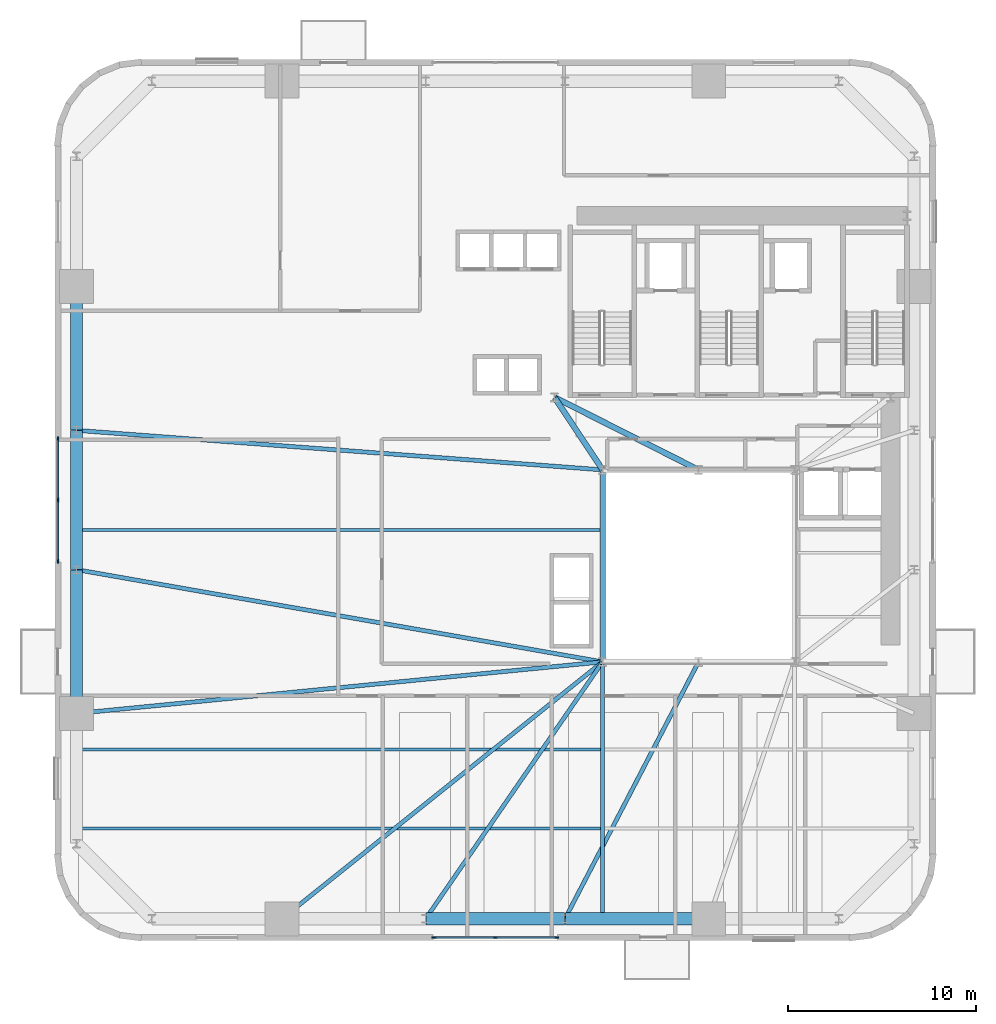
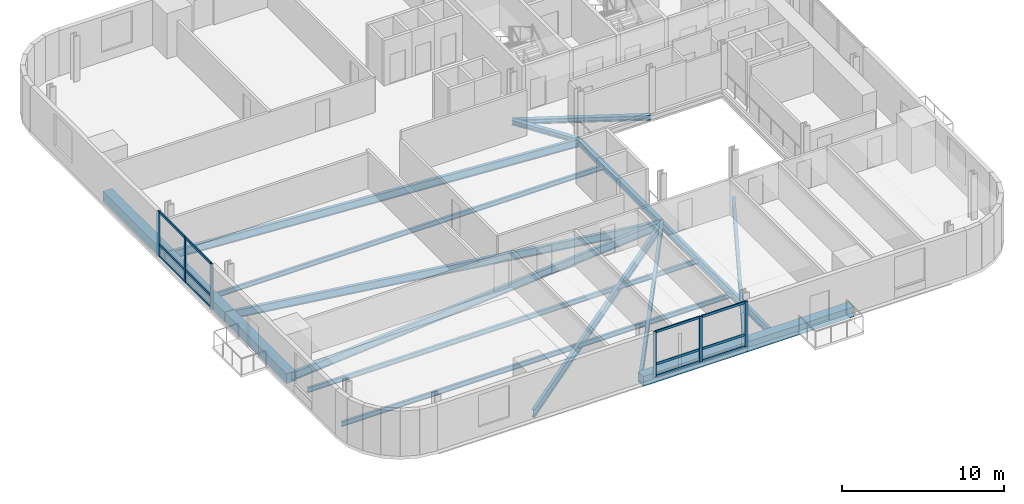
# One storey, part 2 of 13: 18 beams, 18 members, 2 elements without a shape of their own.
"""IFC4 building model written with IfcOpenShell, lengths in metres."""

from ifc_helpers import new_model, si_unit, direction, frame, origin, origin_2d, place, context, subcontext, project, spatial, rectangle, i_section, extrude, source, transform, mapped, material, material_profile, profile_set, type_object, element, aggregate, save


model = new_model("IFC4")

# Units and contexts
model_context = context("Model", 3, precision=1e-05, world=origin(), true_north=direction((0.0, 1.0)))
body_context = subcontext(model_context, "Body", "Model", "MODEL_VIEW")
ifc_project = project(units=[si_unit("LENGTHUNIT", "METRE"), si_unit("AREAUNIT", "SQUARE_METRE"), si_unit("VOLUMEUNIT", "CUBIC_METRE"), si_unit("PLANEANGLEUNIT", "RADIAN"), si_unit("MASSUNIT", "GRAM", prefix="KILO")], contexts=[model_context])

# Site, building, storey
site_placement = place(None, origin())
site = spatial("IfcSite", under=ifc_project, at=site_placement, CompositionType="ELEMENT")
building_placement = place(site_placement, origin())
building = spatial("IfcBuilding", under=site, at=building_placement, Name="Vardaveli Station Tower", CompositionType="ELEMENT")
storey_placement = place(building_placement, frame((0.0, 0.0, 82.35009765625)))
storey = spatial("IfcBuildingStorey", under=building, at=storey_placement, Name="L21", CompositionType="ELEMENT", Elevation=82.35009765625)

# Beams
ifc_material_1 = material(Name="Structural steel S355J2", Category="steel")
ifc_material_profile_1 = material_profile(ifc_material_1, i_section(OverallWidth=0.300048828125, OverallDepth=0.449951171875, WebThickness=0.013916015625, FlangeThickness=0.02587890625, FilletRadius=0.027099609375, at=origin_2d()), Name="HEB 450")
ifc_profile_set_1 = profile_set([ifc_material_profile_1], Name="Structural steel S355J2")
beam_type_1 = type_object("IfcBeamType", Name="BM-HEB450", PredefinedType="BEAM", material=ifc_profile_set_1)
shared_shape_1 = source(origin(), body_context, "Body", "SweptSolid", [
    extrude(i_section(OverallWidth=0.300048828125, OverallDepth=0.449951171875, WebThickness=0.013916015625, FlangeThickness=0.02587890625, FilletRadius=0.027099609375, at=origin_2d()), origin(), (0.0, 0.0, 1.0), 10.159912109375),
])
beam_1_placement = place(storey_placement, frame((31.199951171875, 26.780029296875, -0.465087890625), z_axis=(0.0, -1.0, 0.0), x_axis=(1.0, 0.0, 0.0)))
element("IfcBeam", 1, at=beam_1_placement, inside=storey, type_object=beam_type_1, Name="ABM-L21-06", PredefinedType="BEAM", context=body_context, shape_type="MappedRepresentation", body=[
    mapped(shared_shape_1, transform((0.0, 0.0, 0.0), scale=1.0)),
])
ifc_material_profile_2 = material_profile(ifc_material_1, i_section(OverallWidth=0.300048828125, OverallDepth=0.360107421875, WebThickness=0.012451171875, FlangeThickness=0.0224609375, FilletRadius=0.027099609375, at=origin_2d()), Name="HEB 360")
ifc_profile_set_2 = profile_set([ifc_material_profile_2], Name="Structural steel S355J2")
beam_type_2 = type_object("IfcBeamType", Name="BM-HEB360", PredefinedType="BEAM", material=ifc_profile_set_2)
shared_shape_2 = source(origin(), body_context, "Body", "SweptSolid", [
    extrude(i_section(OverallWidth=0.300048828125, OverallDepth=0.360107421875, WebThickness=0.012451171875, FlangeThickness=0.0224609375, FilletRadius=0.027099609375, at=origin_2d()), origin(), (0.0, 0.0, 1.0), 4.577880859375),
])
beam_2_placement = place(storey_placement, frame((31.18896484375, 26.816650390625, -0.420166015625), z_axis=(-0.55218702139, 0.833720272879, 0.0), x_axis=(-0.833720272879, -0.55218702139, 0.0)))
element("IfcBeam", 2, at=beam_2_placement, inside=storey, type_object=beam_type_2, Name="CBM-L21-01", PredefinedType="BEAM", context=body_context, shape_type="MappedRepresentation", body=[
    mapped(shared_shape_2, transform((0.0, 0.0, 0.0), scale=1.0)),
])
shared_shape_3 = source(origin(), body_context, "Body", "SweptSolid", [
    extrude(i_section(OverallWidth=0.300048828125, OverallDepth=0.360107421875, WebThickness=0.012451171875, FlangeThickness=0.0224609375, FilletRadius=0.027099609375, at=origin_2d()), origin(), (0.0, 0.0, 1.0), 8.524169921875),
])
beam_3_placement = place(storey_placement, frame((28.66796875, 30.64111328125, -0.420166015625), z_axis=(0.893255584708, -0.449549174605, 0.0), x_axis=(0.449549174605, 0.893255584708, 0.0)))
element("IfcBeam", 3, at=beam_3_placement, inside=storey, type_object=beam_type_2, Name="CBM-L21-03", PredefinedType="BEAM", context=body_context, shape_type="MappedRepresentation", body=[
    mapped(shared_shape_3, transform((0.0, 0.0, 0.0), scale=1.0)),
])
ifc_material_2 = material(Name="Precast concrete C45/55", Category="concrete")
ifc_material_profile_3 = material_profile(ifc_material_2, rectangle(XDim=0.64990234375, YDim=0.75, at=origin_2d()), Name="LPB 650x750")
ifc_profile_set_3 = profile_set([ifc_material_profile_3], Name="Precast concrete C45/55")
beam_type_3 = type_object("IfcBeamType", Name="BM-LPB-750", PredefinedType="BEAM", material=ifc_profile_set_3)
shared_shape_4 = source(origin(), body_context, "Body", "SweptSolid", [
    extrude(rectangle(XDim=0.64990234375, YDim=0.75, at=origin_2d()), origin(), (0.0, 0.0, 1.0), 7.60009765625),
])
for number, where, z_axis, x_axis, name in (
    (4, (29.219970703125, 2.949951171875, -0.614990234375), (1.0, 0.0, 0.0), (0.0, 1.0, 0.0), "RBM-L21-03"),
    (5, (3.25, 36.52001953125, -0.614990234375), (0.0, -1.0, 0.0), (1.0, 0.0, 0.0), "RBM-L21-19"),
    (6, (3.25, 21.47998046875, -0.614990234375), (0.0, -1.0, 0.0), (1.0, 0.0, 0.0), "RBM-L21-21"),
):
    element("IfcBeam", number, at=place(storey_placement, frame(where, z_axis=z_axis, x_axis=x_axis)), inside=storey, type_object=beam_type_3, Name=name, PredefinedType="BEAM", context=body_context, shape_type="MappedRepresentation", body=[
        mapped(shared_shape_4, transform((0.0, 0.0, 0.0), scale=1.0)),
    ])
shared_shape_5 = source(origin(), body_context, "Body", "SweptSolid", [
    extrude(rectangle(XDim=0.64990234375, YDim=0.75, at=origin_2d()), origin(), (0.0, 0.0, 1.0), 7.35986328125),
])
for number, where, z_axis, x_axis, name in (
    (7, (21.820068359375, 2.949951171875, -0.614990234375), (1.0, 0.0, 0.0), (0.0, 1.0, 0.0), "RBM-L21-02"),
    (8, (3.25, 28.8798828125, -0.614990234375), (0.0, -1.0, 0.0), (1.0, 0.0, 0.0), "RBM-L21-20"),
):
    element("IfcBeam", number, at=place(storey_placement, frame(where, z_axis=z_axis, x_axis=x_axis)), inside=storey, type_object=beam_type_3, Name=name, PredefinedType="BEAM", context=body_context, shape_type="MappedRepresentation", body=[
        mapped(shared_shape_5, transform((0.0, 0.0, 0.0), scale=1.0)),
    ])
ifc_material_profile_4 = material_profile(ifc_material_1, i_section(OverallWidth=0.219970703125, OverallDepth=0.60009765625, WebThickness=0.011962890625, FlangeThickness=0.01904296875, FilletRadius=0.02392578125, at=origin_2d()), Name="IPE 600")
ifc_profile_set_4 = profile_set([ifc_material_profile_4], Name="Structural steel S355J2")
beam_type_4 = type_object("IfcBeamType", Name="BM-IPE600", PredefinedType="BEAM", material=ifc_profile_set_4)
shared_shape_6 = source(origin(), body_context, "Body", "SweptSolid", [
    extrude(i_section(OverallWidth=0.219970703125, OverallDepth=0.60009765625, WebThickness=0.011962890625, FlangeThickness=0.01904296875, FilletRadius=0.02392578125, at=origin_2d()), origin(), (0.0, 0.0, 1.0), 21.793212890625),
])
beam_4_placement = place(storey_placement, frame((14.175537109375, 2.96240234375, -0.5400390625), z_axis=(0.780466445023, 0.625197671296, 0.0), x_axis=(-0.625197671296, 0.780466445023, 0.0)))
element("IfcBeam", 9, at=beam_4_placement, inside=storey, type_object=beam_type_4, Name="GBM-L21-01", PredefinedType="BEAM", context=body_context, shape_type="MappedRepresentation", body=[
    mapped(shared_shape_6, transform((0.0, 0.0, 0.0), scale=1.0)),
])
shared_shape_7 = source(origin(), body_context, "Body", "SweptSolid", [
    extrude(i_section(OverallWidth=0.219970703125, OverallDepth=0.60009765625, WebThickness=0.011962890625, FlangeThickness=0.01904296875, FilletRadius=0.02392578125, at=origin_2d()), origin(), (0.0, 0.0, 1.0), 16.533447265625),
])
beam_5_placement = place(storey_placement, frame((21.811279296875, 2.966552734375, -0.5400390625), z_axis=(0.567177272103, 0.823595739431, 0.0), x_axis=(-0.823595739431, 0.567177272103, 0.0)))
element("IfcBeam", 10, at=beam_5_placement, inside=storey, type_object=beam_type_4, Name="GBM-L21-02", PredefinedType="BEAM", context=body_context, shape_type="MappedRepresentation", body=[
    mapped(shared_shape_7, transform((0.0, 0.0, 0.0), scale=1.0)),
])
shared_shape_8 = source(origin(), body_context, "Body", "SweptSolid", [
    extrude(i_section(OverallWidth=0.219970703125, OverallDepth=0.60009765625, WebThickness=0.011962890625, FlangeThickness=0.01904296875, FilletRadius=0.02392578125, at=origin_2d()), origin(), (0.0, 0.0, 1.0), 15.34619140625),
])
beam_6_placement = place(storey_placement, frame((29.209228515625, 2.9677734375, -0.5400390625), z_axis=(0.461455420507, 0.887163398075, 0.0), x_axis=(-0.887163398075, 0.461455420507, 0.0)))
element("IfcBeam", 11, at=beam_6_placement, inside=storey, type_object=beam_type_4, Name="GBM-L21-03", PredefinedType="BEAM", context=body_context, shape_type="MappedRepresentation", body=[
    mapped(shared_shape_8, transform((0.0, 0.0, 0.0), scale=1.0)),
])
shared_shape_9 = source(origin(), body_context, "Body", "SweptSolid", [
    extrude(i_section(OverallWidth=0.219970703125, OverallDepth=0.60009765625, WebThickness=0.011962890625, FlangeThickness=0.01904296875, FilletRadius=0.02392578125, at=origin_2d()), origin(), (0.0, 0.0, 1.0), 27.98876953125),
])
beam_7_placement = place(storey_placement, frame((3.27001953125, 28.8984375, -0.5400390625), z_axis=(0.99718954315, -0.074920057611, 0.0), x_axis=(0.074920057611, 0.99718954315, 0.0)))
element("IfcBeam", 12, at=beam_7_placement, inside=storey, type_object=beam_type_4, Name="GBM-L21-08", PredefinedType="BEAM", context=body_context, shape_type="MappedRepresentation", body=[
    mapped(shared_shape_9, transform((0.0, 0.0, 0.0), scale=1.0)),
])
shared_shape_10 = source(origin(), body_context, "Body", "SweptSolid", [
    extrude(i_section(OverallWidth=0.219970703125, OverallDepth=0.60009765625, WebThickness=0.011962890625, FlangeThickness=0.01904296875, FilletRadius=0.02392578125, at=origin_2d()), origin(), (0.0, 0.0, 1.0), 28.33642578125),
])
beam_8_placement = place(storey_placement, frame((3.269775390625, 21.49658203125, -0.5400390625), z_axis=(0.984978267336, -0.172678350921, 0.0), x_axis=(0.172678350921, 0.984978267336, 0.0)))
element("IfcBeam", 13, at=beam_8_placement, inside=storey, type_object=beam_type_4, Name="GBM-L21-09", PredefinedType="BEAM", context=body_context, shape_type="MappedRepresentation", body=[
    mapped(shared_shape_10, transform((0.0, 0.0, 0.0), scale=1.0)),
])
shared_shape_11 = source(origin(), body_context, "Body", "SweptSolid", [
    extrude(i_section(OverallWidth=0.219970703125, OverallDepth=0.60009765625, WebThickness=0.011962890625, FlangeThickness=0.01904296875, FilletRadius=0.02392578125, at=origin_2d()), origin(), (0.0, 0.0, 1.0), 28.0439453125),
])
beam_9_placement = place(storey_placement, frame((3.27001953125, 13.862060546875, -0.5400390625), z_axis=(0.995229237856, 0.097564153855, 0.0), x_axis=(-0.097564153855, 0.995229237856, 0.0)))
element("IfcBeam", 14, at=beam_9_placement, inside=storey, type_object=beam_type_4, Name="GBM-L21-10", PredefinedType="BEAM", context=body_context, shape_type="MappedRepresentation", body=[
    mapped(shared_shape_11, transform((0.0, 0.0, 0.0), scale=1.0)),
])
ifc_material_profile_5 = material_profile(ifc_material_1, i_section(OverallWidth=0.2099609375, OverallDepth=0.550048828125, WebThickness=0.010986328125, FlangeThickness=0.01708984375, FilletRadius=0.02392578125, at=origin_2d()), Name="IPE 550")
ifc_profile_set_5 = profile_set([ifc_material_profile_5], Name="Structural steel S355J2")
beam_type_5 = type_object("IfcBeamType", Name="BM-IPE550", PredefinedType="BEAM", material=ifc_profile_set_5)
shared_shape_12 = source(origin(), body_context, "Body", "SweptSolid", [
    extrude(i_section(OverallWidth=0.2099609375, OverallDepth=0.550048828125, WebThickness=0.010986328125, FlangeThickness=0.01708984375, FilletRadius=0.02392578125, at=origin_2d()), origin(), (0.0, 0.0, 1.0), 13.469970703125),
])
beam_10_placement = place(storey_placement, frame((31.199951171875, 2.989990234375, -0.51513671875), z_axis=(0.0, 1.0, 0.0), x_axis=(-1.0, 0.0, 0.0)))
element("IfcBeam", 15, at=beam_10_placement, inside=storey, type_object=beam_type_5, Name="NSM-L21-S1", PredefinedType="BEAM", context=body_context, shape_type="MappedRepresentation", body=[
    mapped(shared_shape_12, transform((0.0, 0.0, 0.0), scale=1.0)),
])
ifc_material_profile_6 = material_profile(ifc_material_1, i_section(OverallWidth=0.169921875, OverallDepth=0.360107421875, WebThickness=0.008056640625, FlangeThickness=0.0126953125, FilletRadius=0.01806640625, at=origin_2d()), Name="IPE 360")
ifc_profile_set_6 = profile_set([ifc_material_profile_6], Name="Structural steel S355J2")
beam_type_6 = type_object("IfcBeamType", Name="BM-IPE360", PredefinedType="JOIST", material=ifc_profile_set_6)
shared_shape_13 = source(origin(), body_context, "Body", "SweptSolid", [
    extrude(i_section(OverallWidth=0.169921875, OverallDepth=0.360107421875, WebThickness=0.008056640625, FlangeThickness=0.0126953125, FilletRadius=0.01806640625, at=origin_2d()), origin(), (0.0, 0.0, 1.0), 27.7978515625),
])
for number, where, z_axis, x_axis, name in (
    (16, (3.2900390625, 7.75, -0.420166015625), (1.0, 0.0, 0.0), (0.0, 1.0, 0.0), "SJ-L21-S01"),
    (17, (3.2900390625, 11.949951171875, -0.420166015625), (1.0, 0.0, 0.0), (0.0, 1.0, 0.0), "SJ-L21-S04"),
    (18, (3.2900390625, 23.60009765625, -0.420166015625), (1.0, 0.0, 0.0), (0.0, 1.0, 0.0), "SJ-L21-W08"),
):
    element("IfcBeam", number, at=place(storey_placement, frame(where, z_axis=z_axis, x_axis=x_axis)), inside=storey, type_object=beam_type_6, Name=name, PredefinedType="JOIST", context=body_context, shape_type="MappedRepresentation", body=[
        mapped(shared_shape_13, transform((0.0, 0.0, 0.0), scale=1.0)),
    ])

# Curtain wall, members
ifc_material_3 = material(Name="Travertine stone and solar-control glass", Category="masonry")
curtain_wall_type = type_object("IfcCurtainWallType", Name="CW-SYS-2", PredefinedType="NOTDEFINED", material=ifc_material_3)
curtain_wall_1_placement = place(storey_placement, origin())
curtain_wall_1 = element("IfcCurtainWall", 19, at=curtain_wall_1_placement, inside=storey, type_object=curtain_wall_type, Name="CW-L21-S", PredefinedType="NOTDEFINED")
ifc_material_4 = material(Name="Anodised aluminium alloy 6063-T6", Category="aluminium")
ifc_material_profile_7 = material_profile(ifc_material_4, rectangle(XDim=0.0849609375, YDim=0.219970703125, at=origin_2d()), Name="CWM 85x220")
ifc_profile_set_7 = profile_set([ifc_material_profile_7], Name="Anodised aluminium alloy 6063-T6")
member_type_1 = type_object("IfcMemberType", Name="CW-SYS-2-MULL", PredefinedType="MULLION", material=ifc_profile_set_7)
shared_shape_14 = source(origin(), body_context, "Body", "SweptSolid", [
    extrude(rectangle(XDim=0.0849609375, YDim=0.219970703125, at=origin_2d()), origin(), (0.0, 0.0, 1.0), 3.409912109375),
])
member_1_placement = place(storey_placement, frame((22.242431640625, 1.9599609375, 0.0), z_axis=(0.0, 0.0, 1.0), x_axis=(0.0, 1.0, 0.0)))
member_1 = element("IfcMember", 20, at=member_1_placement, type_object=member_type_1, Name="CW-2 mullion 1", PredefinedType="MULLION", context=body_context, shape_type="MappedRepresentation", body=[
    mapped(shared_shape_14, transform((0.0, 0.0, 0.0), scale=1.0)),
])
member_2_placement = place(storey_placement, frame((25.5, 1.9599609375, 0.0), z_axis=(0.0, 0.0, 1.0), x_axis=(0.0, 1.0, 0.0)))
member_2 = element("IfcMember", 21, at=member_2_placement, type_object=member_type_1, Name="CW-2 mullion 2", PredefinedType="MULLION", context=body_context, shape_type="MappedRepresentation", body=[
    mapped(shared_shape_14, transform((0.0, 0.0, 0.0), scale=1.0)),
])
member_3_placement = place(storey_placement, frame((28.757568359375, 1.9599609375, 0.0), z_axis=(0.0, 0.0, 1.0), x_axis=(0.0, 1.0, 0.0)))
member_3 = element("IfcMember", 22, at=member_3_placement, type_object=member_type_1, Name="CW-2 mullion 3", PredefinedType="MULLION", context=body_context, shape_type="MappedRepresentation", body=[
    mapped(shared_shape_14, transform((0.0, 0.0, 0.0), scale=1.0)),
])

curtain_wall_2_placement = place(storey_placement, origin())
curtain_wall_2 = element("IfcCurtainWall", 23, at=curtain_wall_2_placement, inside=storey, type_object=curtain_wall_type, Name="CW-L21-W", PredefinedType="NOTDEFINED")
member_4_placement = place(storey_placement, frame((2.260009765625, 28.45751953125, 0.0), z_axis=(0.0, 0.0, 1.0), x_axis=(1.0, 0.0, 0.0)))
member_4 = element("IfcMember", 24, at=member_4_placement, type_object=member_type_1, Name="CW-2 mullion 1", PredefinedType="MULLION", context=body_context, shape_type="MappedRepresentation", body=[
    mapped(shared_shape_14, transform((0.0, 0.0, 0.0), scale=1.0)),
])
member_5_placement = place(storey_placement, frame((2.260009765625, 25.199951171875, 0.0), z_axis=(0.0, 0.0, 1.0), x_axis=(1.0, 0.0, 0.0)))
member_5 = element("IfcMember", 25, at=member_5_placement, type_object=member_type_1, Name="CW-2 mullion 2", PredefinedType="MULLION", context=body_context, shape_type="MappedRepresentation", body=[
    mapped(shared_shape_14, transform((0.0, 0.0, 0.0), scale=1.0)),
])
member_6_placement = place(storey_placement, frame((2.260009765625, 21.9423828125, 0.0), z_axis=(0.0, 0.0, 1.0), x_axis=(1.0, 0.0, 0.0)))
member_6 = element("IfcMember", 26, at=member_6_placement, type_object=member_type_1, Name="CW-2 mullion 3", PredefinedType="MULLION", context=body_context, shape_type="MappedRepresentation", body=[
    mapped(shared_shape_14, transform((0.0, 0.0, 0.0), scale=1.0)),
])

# Member
ifc_material_profile_8 = material_profile(ifc_material_4, rectangle(XDim=0.0849609375, YDim=0.179931640625, at=origin_2d()), Name="CWT 85x180")
ifc_profile_set_8 = profile_set([ifc_material_profile_8], Name="Anodised aluminium alloy 6063-T6")
member_type_2 = type_object("IfcMemberType", Name="CW-SYS-2-TRAN", PredefinedType="NOTDEFINED", material=ifc_profile_set_8)
shared_shape_15 = source(origin(), body_context, "Body", "SweptSolid", [
    extrude(rectangle(XDim=0.0849609375, YDim=0.179931640625, at=origin_2d()), origin(), (0.0, 0.0, 1.0), 3.172607421875),
])
member_7_placement = place(storey_placement, frame((22.284912109375, 1.9599609375, 0.04248046875), z_axis=(1.0, 0.0, 0.0), x_axis=(0.0, 1.0, 0.0)))
member_7 = element("IfcMember", 27, at=member_7_placement, type_object=member_type_2, Name="CW-2 transom 1.1", ObjectType="TRANSOM", PredefinedType="USERDEFINED", context=body_context, shape_type="MappedRepresentation", body=[
    mapped(shared_shape_15, transform((0.0, 0.0, 0.0), scale=1.0)),
])

member_8_placement = place(storey_placement, frame((22.284912109375, 1.9599609375, 0.949951171875), z_axis=(1.0, 0.0, 0.0), x_axis=(0.0, 1.0, 0.0)))
member_8 = element("IfcMember", 28, at=member_8_placement, type_object=member_type_2, Name="CW-2 transom 1.2", ObjectType="TRANSOM", PredefinedType="USERDEFINED", context=body_context, shape_type="MappedRepresentation", body=[
    mapped(shared_shape_15, transform((0.0, 0.0, 0.0), scale=1.0)),
])

member_9_placement = place(storey_placement, frame((22.284912109375, 1.9599609375, 3.367431640625), z_axis=(1.0, 0.0, 0.0), x_axis=(0.0, 1.0, 0.0)))
member_9 = element("IfcMember", 29, at=member_9_placement, type_object=member_type_2, Name="CW-2 transom 1.3", ObjectType="TRANSOM", PredefinedType="USERDEFINED", context=body_context, shape_type="MappedRepresentation", body=[
    mapped(shared_shape_15, transform((0.0, 0.0, 0.0), scale=1.0)),
])

member_10_placement = place(storey_placement, frame((25.54248046875, 1.9599609375, 0.04248046875), z_axis=(1.0, 0.0, 0.0), x_axis=(0.0, 1.0, 0.0)))
member_10 = element("IfcMember", 30, at=member_10_placement, type_object=member_type_2, Name="CW-2 transom 2.1", ObjectType="TRANSOM", PredefinedType="USERDEFINED", context=body_context, shape_type="MappedRepresentation", body=[
    mapped(shared_shape_15, transform((0.0, 0.0, 0.0), scale=1.0)),
])

member_11_placement = place(storey_placement, frame((25.54248046875, 1.9599609375, 0.949951171875), z_axis=(1.0, 0.0, 0.0), x_axis=(0.0, 1.0, 0.0)))
member_11 = element("IfcMember", 31, at=member_11_placement, type_object=member_type_2, Name="CW-2 transom 2.2", ObjectType="TRANSOM", PredefinedType="USERDEFINED", context=body_context, shape_type="MappedRepresentation", body=[
    mapped(shared_shape_15, transform((0.0, 0.0, 0.0), scale=1.0)),
])

member_12_placement = place(storey_placement, frame((25.54248046875, 1.9599609375, 3.367431640625), z_axis=(1.0, 0.0, 0.0), x_axis=(0.0, 1.0, 0.0)))
member_12 = element("IfcMember", 32, at=member_12_placement, type_object=member_type_2, Name="CW-2 transom 2.3", ObjectType="TRANSOM", PredefinedType="USERDEFINED", context=body_context, shape_type="MappedRepresentation", body=[
    mapped(shared_shape_15, transform((0.0, 0.0, 0.0), scale=1.0)),
])

aggregate(curtain_wall_1, [member_1, member_2, member_3, member_7, member_8, member_9, member_10, member_11, member_12])

member_13_placement = place(storey_placement, frame((2.260009765625, 28.4150390625, 0.04248046875), z_axis=(0.0, -1.0, 0.0), x_axis=(1.0, 0.0, 0.0)))
member_13 = element("IfcMember", 33, at=member_13_placement, type_object=member_type_2, Name="CW-2 transom 1.1", ObjectType="TRANSOM", PredefinedType="USERDEFINED", context=body_context, shape_type="MappedRepresentation", body=[
    mapped(shared_shape_15, transform((0.0, 0.0, 0.0), scale=1.0)),
])

member_14_placement = place(storey_placement, frame((2.260009765625, 28.4150390625, 0.949951171875), z_axis=(0.0, -1.0, 0.0), x_axis=(1.0, 0.0, 0.0)))
member_14 = element("IfcMember", 34, at=member_14_placement, type_object=member_type_2, Name="CW-2 transom 1.2", ObjectType="TRANSOM", PredefinedType="USERDEFINED", context=body_context, shape_type="MappedRepresentation", body=[
    mapped(shared_shape_15, transform((0.0, 0.0, 0.0), scale=1.0)),
])

member_15_placement = place(storey_placement, frame((2.260009765625, 28.4150390625, 3.367431640625), z_axis=(0.0, -1.0, 0.0), x_axis=(1.0, 0.0, 0.0)))
member_15 = element("IfcMember", 35, at=member_15_placement, type_object=member_type_2, Name="CW-2 transom 1.3", ObjectType="TRANSOM", PredefinedType="USERDEFINED", context=body_context, shape_type="MappedRepresentation", body=[
    mapped(shared_shape_15, transform((0.0, 0.0, 0.0), scale=1.0)),
])

shared_shape_16 = source(origin(), body_context, "Body", "SweptSolid", [
    extrude(rectangle(XDim=0.0849609375, YDim=0.179931640625, at=origin_2d()), origin(), (0.0, 0.0, 1.0), 3.17236328125),
])
member_16_placement = place(storey_placement, frame((2.260009765625, 25.157470703125, 0.04248046875), z_axis=(0.0, -1.0, 0.0), x_axis=(1.0, 0.0, 0.0)))
member_16 = element("IfcMember", 36, at=member_16_placement, type_object=member_type_2, Name="CW-2 transom 2.1", ObjectType="TRANSOM", PredefinedType="USERDEFINED", context=body_context, shape_type="MappedRepresentation", body=[
    mapped(shared_shape_16, transform((0.0, 0.0, 0.0), scale=1.0)),
])

member_17_placement = place(storey_placement, frame((2.260009765625, 25.157470703125, 0.949951171875), z_axis=(0.0, -1.0, 0.0), x_axis=(1.0, 0.0, 0.0)))
member_17 = element("IfcMember", 37, at=member_17_placement, type_object=member_type_2, Name="CW-2 transom 2.2", ObjectType="TRANSOM", PredefinedType="USERDEFINED", context=body_context, shape_type="MappedRepresentation", body=[
    mapped(shared_shape_16, transform((0.0, 0.0, 0.0), scale=1.0)),
])

member_18_placement = place(storey_placement, frame((2.260009765625, 25.157470703125, 3.367431640625), z_axis=(0.0, -1.0, 0.0), x_axis=(1.0, 0.0, 0.0)))
member_18 = element("IfcMember", 38, at=member_18_placement, type_object=member_type_2, Name="CW-2 transom 2.3", ObjectType="TRANSOM", PredefinedType="USERDEFINED", context=body_context, shape_type="MappedRepresentation", body=[
    mapped(shared_shape_16, transform((0.0, 0.0, 0.0), scale=1.0)),
])

aggregate(curtain_wall_2, [member_4, member_5, member_6, member_13, member_14, member_15, member_16, member_17, member_18])

save(model, "model.ifc")
